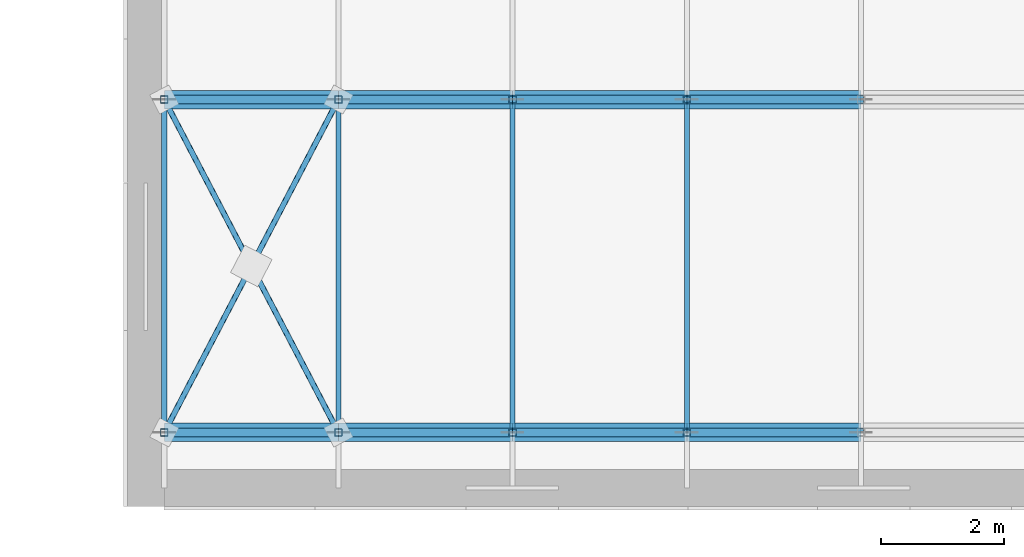
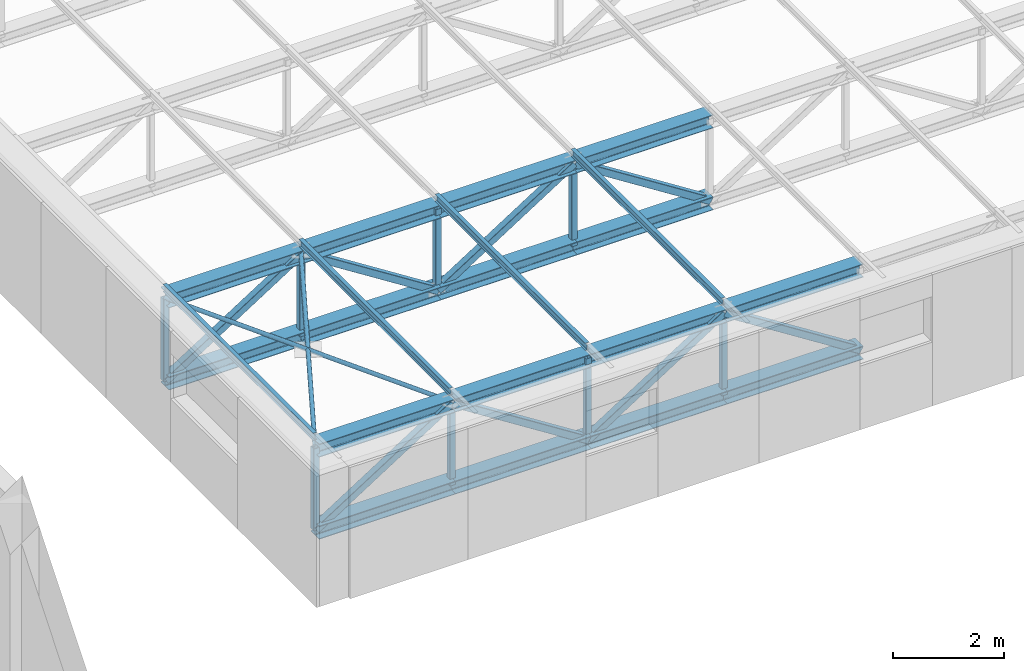
# One storey, part 25 of 132: 39 members.
"""IFC4 building model written with IfcOpenShell, lengths in metres."""

from ifc_helpers import new_model, si_unit, direction, frame, origin, origin_2d, place, context, subcontext, project, spatial, hollow_rectangle, hollow_circle, i_section, extrude, material, material_profile, profile_set, type_object, element, save


model = new_model("IFC4")

# Units and contexts
model_context = context("Model", 3, precision=1e-05, world=origin(), true_north=direction((0.0, 1.0)))
body_context = subcontext(model_context, "Body", "Model", "MODEL_VIEW")
ifc_project = project(units=[si_unit("LENGTHUNIT", "METRE"), si_unit("AREAUNIT", "SQUARE_METRE"), si_unit("VOLUMEUNIT", "CUBIC_METRE"), si_unit("PLANEANGLEUNIT", "RADIAN"), si_unit("MASSUNIT", "GRAM", prefix="KILO")], contexts=[model_context])

# Site, building, storey
site_placement = place(None, origin())
site = spatial("IfcSite", under=ifc_project, at=site_placement, CompositionType="ELEMENT")
building_placement = place(site_placement, origin())
building = spatial("IfcBuilding", under=site, at=building_placement, Name="Lunette Opera House", CompositionType="ELEMENT")
storey_placement = place(building_placement, frame((0.0, 0.0, 17.0)))
storey = spatial("IfcBuildingStorey", under=building, at=storey_placement, Name="L03", CompositionType="ELEMENT", Elevation=17.0)

# Members
ifc_material_1 = material(Name="Steel S355", Category="steel")
ifc_material_profile_1 = material_profile(ifc_material_1, hollow_circle(Radius=0.04443359375, WallThickness=0.00390625, at=origin_2d()), Name="CHS 88.9X4")
ifc_profile_set_1 = profile_set([ifc_material_profile_1], Name="Steel S355")
member_type_1 = type_object("IfcMemberType", Name="BRACING CHS 88.9X4", PredefinedType="BRACE", material=ifc_profile_set_1)
member_1_placement = place(storey_placement, frame((60.60009765625, 97.199951171875, 2.574951171875), z_axis=(0.463530915667, 0.886080747009, 0.0), x_axis=(-0.886080747009, 0.463530915667, 0.0)))
element("IfcMember", 1, at=member_1_placement, inside=storey, type_object=member_type_1, Name="mem-ST-L03-SW-TR-BRQ1P1A", PredefinedType="BRACE", context=body_context, shape_type="SweptSolid", body=[
    extrude(hollow_circle(Radius=0.04443359375, WallThickness=0.00390625, at=origin_2d()), origin(), (0.0, 0.0, 1.0), 6.094482421875),
])
member_2_placement = place(storey_placement, frame((63.425048828125, 97.199951171875, 2.574951171875), z_axis=(-0.463704612578, 0.885989860142, 0.0), x_axis=(-0.885989860142, -0.463704612578, 0.0)))
element("IfcMember", 2, at=member_2_placement, inside=storey, type_object=member_type_1, Name="mem-ST-L03-SW-TR-BRQ1P1B segment 1", PredefinedType="BRACE", context=body_context, shape_type="SweptSolid", body=[
    extrude(hollow_circle(Radius=0.04443359375, WallThickness=0.00390625, at=origin_2d()), origin(), (0.0, 0.0, 1.0), 3.04736328125),
])
member_3_placement = place(storey_placement, frame((62.011962890625, 99.89990234375, 2.574951171875), z_axis=(-0.463357181016, 0.886171610243, 0.0), x_axis=(-0.886171610243, -0.463357181016, 0.0)))
element("IfcMember", 3, at=member_3_placement, inside=storey, type_object=member_type_1, Name="mem-ST-L03-SW-TR-BRQ1P1B segment 2", PredefinedType="BRACE", context=body_context, shape_type="SweptSolid", body=[
    extrude(hollow_circle(Radius=0.04443359375, WallThickness=0.00390625, at=origin_2d()), origin(), (0.0, 0.0, 1.0), 3.047119140625),
])
ifc_material_2 = material(Name="Steel S355", Category="steel")
ifc_material_profile_2 = material_profile(ifc_material_2, i_section(OverallWidth=0.300048828125, OverallDepth=0.2900390625, WebThickness=0.008544921875, FlangeThickness=0.013916015625, FilletRadius=0.027099609375, at=origin_2d()), Name="HEA 300")
ifc_profile_set_2 = profile_set([ifc_material_profile_2], Name="Steel S355")
member_type_2 = type_object("IfcMemberType", Name="CHORD HEA 300", PredefinedType="CHORD", material=ifc_profile_set_2)
for number, where, z_axis, x_axis, name in (
    (4, (60.60009765625, 97.199951171875, 2.574951171875), (1.0, 0.0, 0.0), (0.0, 1.0, 0.0), "mem-ST-L03-SW-TR01-TC1"),
    (5, (60.60009765625, 97.199951171875, 0.77490234375), (1.0, 0.0, 0.0), (0.0, 1.0, 0.0), "mem-ST-L03-SW-TR01-BC1"),
    (6, (63.425048828125, 97.199951171875, 2.574951171875), (1.0, 0.0, 0.0), (0.0, 1.0, 0.0), "mem-ST-L03-SW-TR01-TC2"),
    (7, (63.425048828125, 97.199951171875, 0.77490234375), (1.0, 0.0, 0.0), (0.0, 1.0, 0.0), "mem-ST-L03-SW-TR01-BC2"),
    (8, (66.25, 97.199951171875, 2.574951171875), (1.0, 0.0, 0.0), (0.0, 1.0, 0.0), "mem-ST-L03-SW-TR01-TC3"),
    (9, (66.25, 97.199951171875, 0.77490234375), (1.0, 0.0, 0.0), (0.0, 1.0, 0.0), "mem-ST-L03-SW-TR01-BC3"),
    (10, (69.074951171875, 97.199951171875, 2.574951171875), (1.0, 0.0, 0.0), (0.0, 1.0, 0.0), "mem-ST-L03-SW-TR01-TC4"),
    (11, (69.074951171875, 97.199951171875, 0.77490234375), (1.0, 0.0, 0.0), (0.0, 1.0, 0.0), "mem-ST-L03-SW-TR01-BC4"),
    (12, (60.60009765625, 102.60009765625, 2.574951171875), (1.0, 0.0, 0.0), (0.0, 1.0, 0.0), "mem-ST-L03-SW-TR02-TC1"),
    (13, (60.60009765625, 102.60009765625, 0.77490234375), (1.0, 0.0, 0.0), (0.0, 1.0, 0.0), "mem-ST-L03-SW-TR02-BC1"),
    (14, (63.425048828125, 102.60009765625, 2.574951171875), (1.0, 0.0, 0.0), (0.0, 1.0, 0.0), "mem-ST-L03-SW-TR02-TC2"),
    (15, (63.425048828125, 102.60009765625, 0.77490234375), (1.0, 0.0, 0.0), (0.0, 1.0, 0.0), "mem-ST-L03-SW-TR02-BC2"),
    (16, (66.25, 102.60009765625, 2.574951171875), (1.0, 0.0, 0.0), (0.0, 1.0, 0.0), "mem-ST-L03-SW-TR02-TC3"),
    (17, (66.25, 102.60009765625, 0.77490234375), (1.0, 0.0, 0.0), (0.0, 1.0, 0.0), "mem-ST-L03-SW-TR02-BC3"),
    (18, (69.074951171875, 102.60009765625, 2.574951171875), (1.0, 0.0, 0.0), (0.0, 1.0, 0.0), "mem-ST-L03-SW-TR02-TC4"),
    (19, (69.074951171875, 102.60009765625, 0.77490234375), (1.0, 0.0, 0.0), (0.0, 1.0, 0.0), "mem-ST-L03-SW-TR02-BC4"),
):
    element("IfcMember", number, at=place(storey_placement, frame(where, z_axis=z_axis, x_axis=x_axis)), inside=storey, type_object=member_type_2, Name=name, PredefinedType="CHORD", context=body_context, shape_type="SweptSolid", body=[
        extrude(i_section(OverallWidth=0.300048828125, OverallDepth=0.2900390625, WebThickness=0.008544921875, FlangeThickness=0.013916015625, FilletRadius=0.027099609375, at=origin_2d()), origin(), (0.0, 0.0, 1.0), 2.824951171875),
    ])
ifc_material_3 = material(Name="Steel S355", Category="steel")
ifc_material_profile_3 = material_profile(ifc_material_3, hollow_rectangle(XDim=0.14990234375, YDim=0.14990234375, WallThickness=0.006103515625, InnerFilletRadius=0.006103515625, OuterFilletRadius=0.011962890625, at=origin_2d()), Name="RHS 150X150X6")
ifc_profile_set_3 = profile_set([ifc_material_profile_3], Name="Steel S355")
member_type_3 = type_object("IfcMemberType", Name="DIAGONAL RHS 150X150X6", PredefinedType="BRACE", material=ifc_profile_set_3)
for number, where, z_axis, x_axis, name in (
    (20, (60.60009765625, 97.199951171875, 0.77490234375), (0.843343221477, 0.0, 0.537375297896), (0.0, 1.0, 0.0), "mem-ST-L03-SW-TR01-TD1"),
    (21, (63.425048828125, 97.199951171875, 2.574951171875), (0.843343221477, 0.0, -0.537375297896), (0.0, 1.0, 0.0), "mem-ST-L03-SW-TR01-TD2"),
    (22, (66.25, 97.199951171875, 0.77490234375), (0.843343221477, 0.0, 0.537375297896), (0.0, 1.0, 0.0), "mem-ST-L03-SW-TR01-TD3"),
    (23, (69.074951171875, 97.199951171875, 2.574951171875), (0.843343221477, 0.0, -0.537375297896), (0.0, 1.0, 0.0), "mem-ST-L03-SW-TR01-TD4"),
    (24, (60.60009765625, 102.60009765625, 0.77490234375), (0.843343221477, 0.0, 0.537375297896), (0.0, 1.0, 0.0), "mem-ST-L03-SW-TR02-TD1"),
    (25, (63.425048828125, 102.60009765625, 2.574951171875), (0.843343221477, 0.0, -0.537375297896), (0.0, 1.0, 0.0), "mem-ST-L03-SW-TR02-TD2"),
    (26, (66.25, 102.60009765625, 0.77490234375), (0.843343221477, 0.0, 0.537375297896), (0.0, 1.0, 0.0), "mem-ST-L03-SW-TR02-TD3"),
    (27, (69.074951171875, 102.60009765625, 2.574951171875), (0.843343221477, 0.0, -0.537375297896), (0.0, 1.0, 0.0), "mem-ST-L03-SW-TR02-TD4"),
):
    element("IfcMember", number, at=place(storey_placement, frame(where, z_axis=z_axis, x_axis=x_axis)), inside=storey, type_object=member_type_3, Name=name, PredefinedType="BRACE", context=body_context, shape_type="SweptSolid", body=[
        extrude(hollow_rectangle(XDim=0.14990234375, YDim=0.14990234375, WallThickness=0.006103515625, InnerFilletRadius=0.006103515625, OuterFilletRadius=0.011962890625, at=origin_2d()), origin(), (0.0, 0.0, 1.0), 3.349609375),
    ])
ifc_material_4 = material(Name="Steel S355", Category="steel")
ifc_material_profile_4 = material_profile(ifc_material_4, i_section(OverallWidth=0.08203125, OverallDepth=0.159912109375, WebThickness=0.0048828125, FlangeThickness=0.00732421875, FilletRadius=0.009033203125, at=origin_2d()), Name="IPE 160")
ifc_profile_set_4 = profile_set([ifc_material_profile_4], Name="Steel S355")
member_type_4 = type_object("IfcMemberType", Name="PURLIN IPE 160", PredefinedType="PURLIN", material=ifc_profile_set_4)
for number, where, z_axis, x_axis, name in (
    (28, (60.60009765625, 97.199951171875, 2.800048828125), (0.0, 1.0, 0.0), (-1.0, 0.0, 0.0), "mem-ST-L03-SW-TR-PU1-2"),
    (29, (63.425048828125, 97.199951171875, 2.800048828125), (0.0, 1.0, 0.0), (-1.0, 0.0, 0.0), "mem-ST-L03-SW-TR-PU2-2"),
    (30, (66.25, 97.199951171875, 2.800048828125), (0.0, 1.0, 0.0), (-1.0, 0.0, 0.0), "mem-ST-L03-SW-TR-PU3-2"),
    (31, (69.074951171875, 97.199951171875, 2.800048828125), (0.0, 1.0, 0.0), (-1.0, 0.0, 0.0), "mem-ST-L03-SW-TR-PU4-2"),
):
    element("IfcMember", number, at=place(storey_placement, frame(where, z_axis=z_axis, x_axis=x_axis)), inside=storey, type_object=member_type_4, Name=name, PredefinedType="PURLIN", context=body_context, shape_type="SweptSolid", body=[
        extrude(i_section(OverallWidth=0.08203125, OverallDepth=0.159912109375, WebThickness=0.0048828125, FlangeThickness=0.00732421875, FilletRadius=0.009033203125, at=origin_2d()), origin(), (0.0, 0.0, 1.0), 5.400146484375),
    ])
ifc_material_5 = material(Name="Steel S355", Category="steel")
ifc_material_profile_5 = material_profile(ifc_material_5, hollow_rectangle(XDim=0.1201171875, YDim=0.1201171875, WallThickness=0.0048828125, InnerFilletRadius=0.0048828125, OuterFilletRadius=0.010009765625, at=origin_2d()), Name="RHS 120X120X5")
ifc_profile_set_5 = profile_set([ifc_material_profile_5], Name="Steel S355")
member_type_5 = type_object("IfcMemberType", Name="VERTICAL RHS 120X120X5", PredefinedType="POST", material=ifc_profile_set_5)
for number, where, z_axis, x_axis, name in (
    (32, (60.60009765625, 97.199951171875, 0.77490234375), (0.0, 0.0, 1.0), (1.0, 0.0, 0.0), "mem-ST-L03-SW-TR01-TV1"),
    (33, (63.425048828125, 97.199951171875, 0.77490234375), (0.0, 0.0, 1.0), (1.0, 0.0, 0.0), "mem-ST-L03-SW-TR01-TV2"),
    (34, (66.25, 97.199951171875, 0.77490234375), (0.0, 0.0, 1.0), (1.0, 0.0, 0.0), "mem-ST-L03-SW-TR01-TV3"),
    (35, (69.074951171875, 97.199951171875, 0.77490234375), (0.0, 0.0, 1.0), (1.0, 0.0, 0.0), "mem-ST-L03-SW-TR01-TV4"),
    (36, (60.60009765625, 102.60009765625, 0.77490234375), (0.0, 0.0, 1.0), (1.0, 0.0, 0.0), "mem-ST-L03-SW-TR02-TV1"),
    (37, (63.425048828125, 102.60009765625, 0.77490234375), (0.0, 0.0, 1.0), (1.0, 0.0, 0.0), "mem-ST-L03-SW-TR02-TV2"),
    (38, (66.25, 102.60009765625, 0.77490234375), (0.0, 0.0, 1.0), (1.0, 0.0, 0.0), "mem-ST-L03-SW-TR02-TV3"),
    (39, (69.074951171875, 102.60009765625, 0.77490234375), (0.0, 0.0, 1.0), (1.0, 0.0, 0.0), "mem-ST-L03-SW-TR02-TV4"),
):
    element("IfcMember", number, at=place(storey_placement, frame(where, z_axis=z_axis, x_axis=x_axis)), inside=storey, type_object=member_type_5, Name=name, PredefinedType="POST", context=body_context, shape_type="SweptSolid", body=[
        extrude(hollow_rectangle(XDim=0.1201171875, YDim=0.1201171875, WallThickness=0.0048828125, InnerFilletRadius=0.0048828125, OuterFilletRadius=0.010009765625, at=origin_2d()), origin(), (0.0, 0.0, 1.0), 1.800048828125),
    ])

save(model, "model.ifc")
